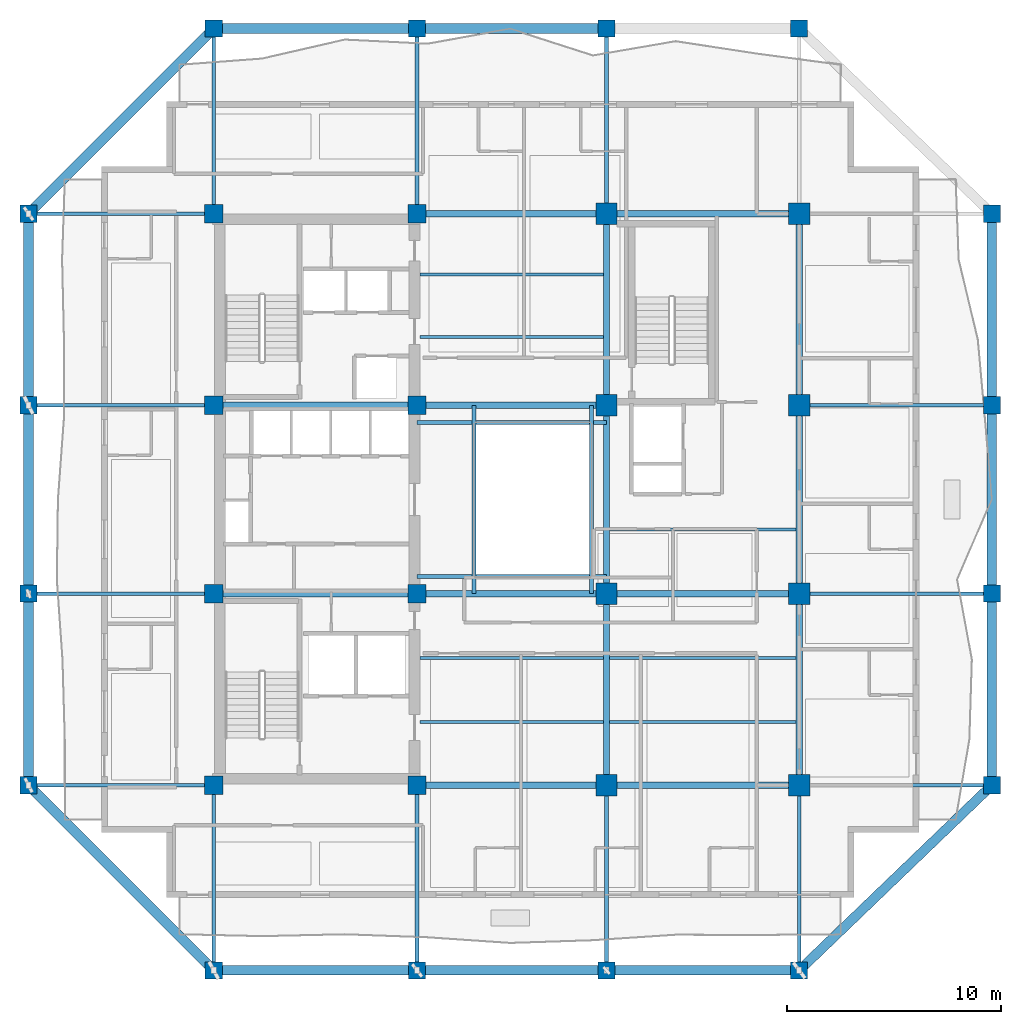
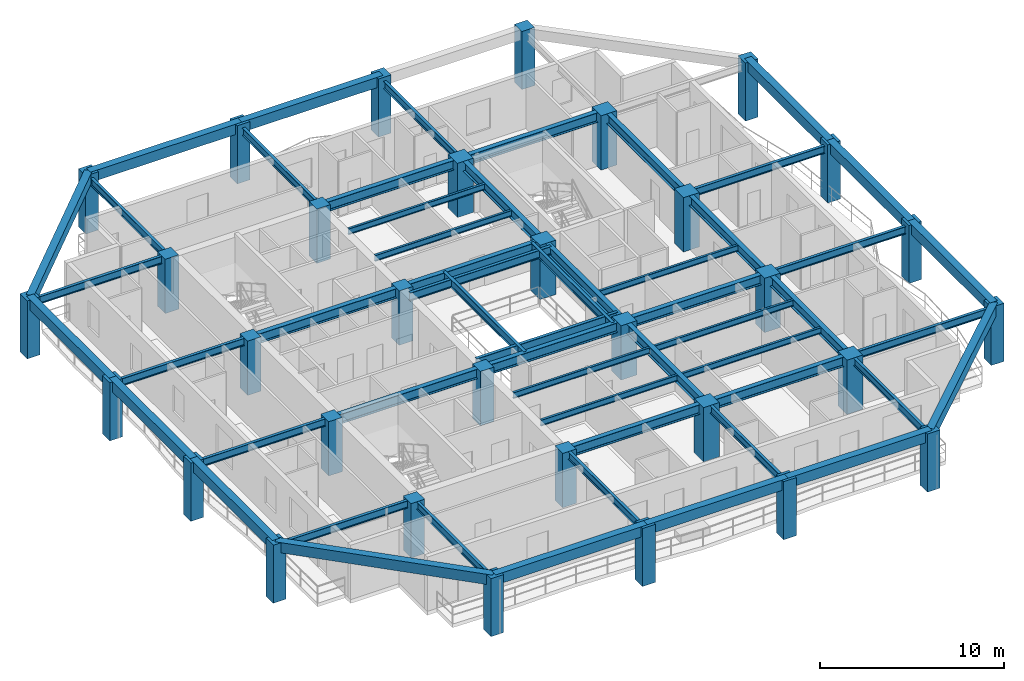
# One storey, part 1 of 12: 54 beams, 32 columns.
"""IFC4 building model written with IfcOpenShell, lengths in metres."""

from ifc_helpers import new_model, si_unit, direction, frame, origin, origin_2d, place, context, subcontext, project, spatial, rectangle, i_section, extrude, material, material_profile, profile_set, type_object, element, save


model = new_model("IFC4")

# Units and contexts
model_context = context("Model", 3, precision=1e-05, world=origin(), true_north=direction((0.0, 1.0)))
body_context = subcontext(model_context, "Body", "Model", "MODEL_VIEW")
ifc_project = project(units=[si_unit("LENGTHUNIT", "METRE"), si_unit("AREAUNIT", "SQUARE_METRE"), si_unit("VOLUMEUNIT", "CUBIC_METRE"), si_unit("PLANEANGLEUNIT", "RADIAN"), si_unit("MASSUNIT", "GRAM", prefix="KILO")], contexts=[model_context])

# Site, building, storey
site_placement = place(None, origin())
site = spatial("IfcSite", under=ifc_project, at=site_placement, CompositionType="ELEMENT")
building_placement = place(site_placement, origin())
building = spatial("IfcBuilding", under=site, at=building_placement, Name="Kundavana Baori Tower", CompositionType="ELEMENT")
storey_placement = place(building_placement, frame((0.0, 0.0, 134.800048828125)))
storey = spatial("IfcBuildingStorey", under=building, at=storey_placement, Name="L32", CompositionType="ELEMENT", Elevation=134.800048828125)

# Columns
ifc_material_1 = material(Name="Concrete C50/60", Category="concrete")
ifc_material_profile_1 = material_profile(ifc_material_1, rectangle(XDim=0.800048828125, YDim=0.800048828125, at=origin_2d()), Name="RC PF 800x800")
ifc_profile_set_1 = profile_set([ifc_material_profile_1], Name="Concrete C50/60")
column_type_1 = type_object("IfcColumnType", Name="COL-PF-800", PredefinedType="COLUMN", material=ifc_profile_set_1)
for number, where, z_axis, x_axis, name in (
    (1, (15.449951171875, 6.60009765625, 0.0), (0.0, 0.0, 1.0), (1.0, 0.0, 0.0), "L32 Stone-Clad Perimeter Frame Column PF-S1"),
    (2, (15.449951171875, 50.60009765625, 0.0), (0.0, 0.0, 1.0), (1.0, 0.0, 0.0), "L32 Stone-Clad Perimeter Frame Column PF-N1"),
    (3, (24.949951171875, 6.60009765625, 0.0), (0.0, 0.0, 1.0), (1.0, 0.0, 0.0), "L32 Stone-Clad Perimeter Frame Column PF-S2"),
    (4, (24.949951171875, 50.60009765625, 0.0), (0.0, 0.0, 1.0), (1.0, 0.0, 0.0), "L32 Stone-Clad Perimeter Frame Column PF-N2"),
    (5, (33.800048828125, 6.60009765625, 0.0), (0.0, 0.0, 1.0), (1.0, 0.0, 0.0), "L32 Stone-Clad Perimeter Frame Column PF-S3"),
    (6, (33.800048828125, 50.60009765625, 0.0), (0.0, 0.0, 1.0), (1.0, 0.0, 0.0), "L32 Stone-Clad Perimeter Frame Column PF-N3"),
    (7, (42.800048828125, 6.60009765625, 0.0), (0.0, 0.0, 1.0), (1.0, 0.0, 0.0), "L32 Stone-Clad Perimeter Frame Column PF-S4"),
    (8, (42.800048828125, 50.60009765625, 0.0), (0.0, 0.0, 1.0), (1.0, 0.0, 0.0), "L32 Stone-Clad Perimeter Frame Column PF-N4"),
    (9, (6.800048828125, 15.25, 0.0), (0.0, 0.0, 1.0), (1.0, 0.0, 0.0), "L32 Stone-Clad Perimeter Frame Column PF-W1"),
    (10, (51.800048828125, 15.25, 0.0), (0.0, 0.0, 1.0), (1.0, 0.0, 0.0), "L32 Stone-Clad Perimeter Frame Column PF-E1"),
    (11, (6.800048828125, 24.199951171875, 0.0), (0.0, 0.0, 1.0), (1.0, 0.0, 0.0), "L32 Stone-Clad Perimeter Frame Column PF-W2"),
    (12, (51.800048828125, 24.199951171875, 0.0), (0.0, 0.0, 1.0), (1.0, 0.0, 0.0), "L32 Stone-Clad Perimeter Frame Column PF-E2"),
    (13, (6.800048828125, 33.0, 0.0), (0.0, 0.0, 1.0), (1.0, 0.0, 0.0), "L32 Stone-Clad Perimeter Frame Column PF-W3"),
    (14, (51.800048828125, 33.0, 0.0), (0.0, 0.0, 1.0), (1.0, 0.0, 0.0), "L32 Stone-Clad Perimeter Frame Column PF-E3"),
    (15, (6.800048828125, 41.949951171875, 0.0), (0.0, 0.0, 1.0), (1.0, 0.0, 0.0), "L32 Stone-Clad Perimeter Frame Column PF-W4"),
    (16, (51.800048828125, 41.949951171875, 0.0), (0.0, 0.0, 1.0), (1.0, 0.0, 0.0), "L32 Stone-Clad Perimeter Frame Column PF-E4"),
):
    element("IfcColumn", number, at=place(storey_placement, frame(where, z_axis=z_axis, x_axis=x_axis)), inside=storey, type_object=column_type_1, Name=name, PredefinedType="COLUMN", context=body_context, shape_type="SweptSolid", body=[
        extrude(rectangle(XDim=0.800048828125, YDim=0.800048828125, at=origin_2d()), origin(), (0.0, 0.0, 1.0), 3.849853515625),
    ])
ifc_material_2 = material(Name="Concrete C50/60", Category="concrete")
ifc_material_profile_2 = material_profile(ifc_material_2, rectangle(XDim=1.0, YDim=1.0, at=origin_2d()), Name="RC 1000x1000")
ifc_profile_set_2 = profile_set([ifc_material_profile_2], Name="Concrete C50/60")
column_type_2 = type_object("IfcColumnType", Name="COL-RC-1000", PredefinedType="COLUMN", material=ifc_profile_set_2)
for number, where, z_axis, x_axis, name in (
    (17, (33.800048828125, 15.25, 0.0), (0.0, 0.0, 1.0), (1.0, 0.0, 0.0), "L32 Interior Column IC-5C"),
    (18, (33.800048828125, 24.199951171875, 0.0), (0.0, 0.0, 1.0), (1.0, 0.0, 0.0), "L32 Interior Column IC-5D"),
    (19, (33.800048828125, 33.0, 0.0), (0.0, 0.0, 1.0), (1.0, 0.0, 0.0), "L32 Interior Column IC-5E"),
    (20, (33.800048828125, 41.949951171875, 0.0), (0.0, 0.0, 1.0), (1.0, 0.0, 0.0), "L32 Interior Column IC-5F"),
    (21, (42.800048828125, 15.25, 0.0), (0.0, 0.0, 1.0), (1.0, 0.0, 0.0), "L32 Interior Column IC-6C"),
    (22, (42.800048828125, 24.199951171875, 0.0), (0.0, 0.0, 1.0), (1.0, 0.0, 0.0), "L32 Interior Column IC-6D"),
    (23, (42.800048828125, 33.0, 0.0), (0.0, 0.0, 1.0), (1.0, 0.0, 0.0), "L32 Interior Column IC-6E"),
    (24, (42.800048828125, 41.949951171875, 0.0), (0.0, 0.0, 1.0), (1.0, 0.0, 0.0), "L32 Interior Column IC-6F"),
):
    element("IfcColumn", number, at=place(storey_placement, frame(where, z_axis=z_axis, x_axis=x_axis)), inside=storey, type_object=column_type_2, Name=name, PredefinedType="COLUMN", context=body_context, shape_type="SweptSolid", body=[
        extrude(rectangle(XDim=1.0, YDim=1.0, at=origin_2d()), origin(), (0.0, 0.0, 1.0), 3.599853515625),
    ])
ifc_material_3 = material(Name="Concrete C50/60", Category="concrete")
ifc_material_profile_3 = material_profile(ifc_material_3, rectangle(XDim=0.85009765625, YDim=0.85009765625, at=origin_2d()), Name="RC 850x850")
ifc_profile_set_3 = profile_set([ifc_material_profile_3], Name="Concrete C50/60")
column_type_3 = type_object("IfcColumnType", Name="COL-RC-850", PredefinedType="COLUMN", material=ifc_profile_set_3)
for number, where, z_axis, x_axis, name in (
    (25, (15.449951171875, 15.25, 0.0), (0.0, 0.0, 1.0), (1.0, 0.0, 0.0), "L32 Interior Column IC-3C"),
    (26, (15.449951171875, 24.199951171875, 0.0), (0.0, 0.0, 1.0), (1.0, 0.0, 0.0), "L32 Interior Column IC-3D"),
    (27, (15.449951171875, 33.0, 0.0), (0.0, 0.0, 1.0), (1.0, 0.0, 0.0), "L32 Interior Column IC-3E"),
    (28, (15.449951171875, 41.949951171875, 0.0), (0.0, 0.0, 1.0), (1.0, 0.0, 0.0), "L32 Interior Column IC-3F"),
    (29, (24.949951171875, 15.25, 0.0), (0.0, 0.0, 1.0), (1.0, 0.0, 0.0), "L32 Interior Column IC-4C"),
    (30, (24.949951171875, 24.199951171875, 0.0), (0.0, 0.0, 1.0), (1.0, 0.0, 0.0), "L32 Interior Column IC-4D"),
    (31, (24.949951171875, 33.0, 0.0), (0.0, 0.0, 1.0), (1.0, 0.0, 0.0), "L32 Interior Column IC-4E"),
    (32, (24.949951171875, 41.949951171875, 0.0), (0.0, 0.0, 1.0), (1.0, 0.0, 0.0), "L32 Interior Column IC-4F"),
):
    element("IfcColumn", number, at=place(storey_placement, frame(where, z_axis=z_axis, x_axis=x_axis)), inside=storey, type_object=column_type_3, Name=name, PredefinedType="COLUMN", context=body_context, shape_type="SweptSolid", body=[
        extrude(rectangle(XDim=0.85009765625, YDim=0.85009765625, at=origin_2d()), origin(), (0.0, 0.0, 1.0), 3.599853515625),
    ])

# Beams
ifc_material_4 = material(Name="Structural Steel S355JR", Category="steel")
ifc_material_profile_4 = material_profile(ifc_material_4, i_section(OverallWidth=0.139892578125, OverallDepth=0.39990234375, WebThickness=0.0087890625, FlangeThickness=0.01611328125, FilletRadius=0.013916015625, at=origin_2d()), Name="ISMB 400")
ifc_profile_set_4 = profile_set([ifc_material_profile_4], Name="Structural Steel S355JR")
beam_type_1 = type_object("IfcBeamType", Name="BM-JST-400", PredefinedType="JOIST", material=ifc_profile_set_4)
for number, where, z_axis, x_axis, name in (
    (33, (25.080078125, 18.199951171875, 3.39990234375), (1.0, 0.0, 0.0), (0.0, 1.0, 0.0), "L32 Central Bay Composite Floor Joist C1"),
    (34, (25.080078125, 21.199951171875, 3.39990234375), (1.0, 0.0, 0.0), (0.0, 1.0, 0.0), "L32 Central Bay Composite Floor Joist C2"),
    (35, (25.080078125, 36.199951171875, 3.39990234375), (1.0, 0.0, 0.0), (0.0, 1.0, 0.0), "L32 Central Bay Composite Floor Joist C3"),
    (36, (25.080078125, 39.10009765625, 3.39990234375), (1.0, 0.0, 0.0), (0.0, 1.0, 0.0), "L32 Central Bay Composite Floor Joist C4"),
):
    element("IfcBeam", number, at=place(storey_placement, frame(where, z_axis=z_axis, x_axis=x_axis)), inside=storey, type_object=beam_type_1, Name=name, PredefinedType="JOIST", context=body_context, shape_type="SweptSolid", body=[
        extrude(i_section(OverallWidth=0.139892578125, OverallDepth=0.39990234375, WebThickness=0.0087890625, FlangeThickness=0.01611328125, FilletRadius=0.013916015625, at=origin_2d()), origin(), (0.0, 0.0, 1.0), 8.56982421875),
    ])
for number, where, z_axis, x_axis, name in (
    (37, (33.949951171875, 18.199951171875, 3.39990234375), (1.0, 0.0, 0.0), (0.0, 1.0, 0.0), "L32 East Bay Composite Floor Joist E1"),
    (38, (33.949951171875, 21.199951171875, 3.39990234375), (1.0, 0.0, 0.0), (0.0, 1.0, 0.0), "L32 East Bay Composite Floor Joist E2"),
    (39, (33.949951171875, 27.199951171875, 3.39990234375), (1.0, 0.0, 0.0), (0.0, 1.0, 0.0), "L32 East Bay Composite Floor Joist E3"),
):
    element("IfcBeam", number, at=place(storey_placement, frame(where, z_axis=z_axis, x_axis=x_axis)), inside=storey, type_object=beam_type_1, Name=name, PredefinedType="JOIST", context=body_context, shape_type="SweptSolid", body=[
        extrude(i_section(OverallWidth=0.139892578125, OverallDepth=0.39990234375, WebThickness=0.0087890625, FlangeThickness=0.01611328125, FilletRadius=0.013916015625, at=origin_2d()), origin(), (0.0, 0.0, 1.0), 8.699951171875),
    ])
ifc_material_5 = material(Name="Concrete C50/60", Category="concrete")
ifc_material_profile_5 = material_profile(ifc_material_5, rectangle(XDim=0.449951171875, YDim=0.679931640625, at=origin_2d()), Name="RC BM 450x680")
ifc_profile_set_5 = profile_set([ifc_material_profile_5], Name="Concrete C50/60")
beam_type_2 = type_object("IfcBeamType", Name="BM-PF-680", PredefinedType="SPANDREL", material=ifc_profile_set_5)
beam_1_placement = place(storey_placement, frame((15.449951171875, 6.60009765625, 3.510009765625), z_axis=(1.0, 0.0, 0.0), x_axis=(0.0, 1.0, 0.0)))
element("IfcBeam", 40, at=beam_1_placement, inside=storey, type_object=beam_type_2, Name="L32 Perimeter Frame Ring Beam S1", PredefinedType="SPANDREL", context=body_context, shape_type="SweptSolid", body=[
    extrude(rectangle(XDim=0.449951171875, YDim=0.679931640625, at=origin_2d()), origin(), (0.0, 0.0, 1.0), 9.5),
])
beam_2_placement = place(storey_placement, frame((24.949951171875, 6.60009765625, 3.510009765625), z_axis=(1.0, 0.0, 0.0), x_axis=(0.0, 1.0, 0.0)))
element("IfcBeam", 41, at=beam_2_placement, inside=storey, type_object=beam_type_2, Name="L32 Perimeter Frame Ring Beam S2", PredefinedType="SPANDREL", context=body_context, shape_type="SweptSolid", body=[
    extrude(rectangle(XDim=0.449951171875, YDim=0.679931640625, at=origin_2d()), origin(), (0.0, 0.0, 1.0), 8.85009765625),
])
beam_3_placement = place(storey_placement, frame((33.800048828125, 6.60009765625, 3.510009765625), z_axis=(1.0, 0.0, 0.0), x_axis=(0.0, 1.0, 0.0)))
element("IfcBeam", 42, at=beam_3_placement, inside=storey, type_object=beam_type_2, Name="L32 Perimeter Frame Ring Beam S3", PredefinedType="SPANDREL", context=body_context, shape_type="SweptSolid", body=[
    extrude(rectangle(XDim=0.449951171875, YDim=0.679931640625, at=origin_2d()), origin(), (0.0, 0.0, 1.0), 9.0),
])
beam_4_placement = place(storey_placement, frame((15.449951171875, 50.60009765625, 3.510009765625), z_axis=(1.0, 0.0, 0.0), x_axis=(0.0, 1.0, 0.0)))
element("IfcBeam", 43, at=beam_4_placement, inside=storey, type_object=beam_type_2, Name="L32 Perimeter Frame Ring Beam N1", PredefinedType="SPANDREL", context=body_context, shape_type="SweptSolid", body=[
    extrude(rectangle(XDim=0.449951171875, YDim=0.679931640625, at=origin_2d()), origin(), (0.0, 0.0, 1.0), 9.5),
])
beam_5_placement = place(storey_placement, frame((24.949951171875, 50.60009765625, 3.510009765625), z_axis=(1.0, 0.0, 0.0), x_axis=(0.0, 1.0, 0.0)))
element("IfcBeam", 44, at=beam_5_placement, inside=storey, type_object=beam_type_2, Name="L32 Perimeter Frame Ring Beam N2", PredefinedType="SPANDREL", context=body_context, shape_type="SweptSolid", body=[
    extrude(rectangle(XDim=0.449951171875, YDim=0.679931640625, at=origin_2d()), origin(), (0.0, 0.0, 1.0), 8.85009765625),
])
beam_6_placement = place(storey_placement, frame((6.800048828125, 15.25, 3.510009765625), z_axis=(0.0, 1.0, 0.0), x_axis=(-1.0, 0.0, 0.0)))
element("IfcBeam", 45, at=beam_6_placement, inside=storey, type_object=beam_type_2, Name="L32 Perimeter Frame Ring Beam W1", PredefinedType="SPANDREL", context=body_context, shape_type="SweptSolid", body=[
    extrude(rectangle(XDim=0.449951171875, YDim=0.679931640625, at=origin_2d()), origin(), (0.0, 0.0, 1.0), 8.949951171875),
])
beam_7_placement = place(storey_placement, frame((6.800048828125, 24.199951171875, 3.510009765625), z_axis=(0.0, 1.0, 0.0), x_axis=(-1.0, 0.0, 0.0)))
element("IfcBeam", 46, at=beam_7_placement, inside=storey, type_object=beam_type_2, Name="L32 Perimeter Frame Ring Beam W2", PredefinedType="SPANDREL", context=body_context, shape_type="SweptSolid", body=[
    extrude(rectangle(XDim=0.449951171875, YDim=0.679931640625, at=origin_2d()), origin(), (0.0, 0.0, 1.0), 8.800048828125),
])
for number, where, z_axis, x_axis, name in (
    (47, (6.800048828125, 33.0, 3.510009765625), (0.0, 1.0, 0.0), (-1.0, 0.0, 0.0), "L32 Perimeter Frame Ring Beam W3"),
    (48, (51.800048828125, 15.25, 3.510009765625), (0.0, 1.0, 0.0), (-1.0, 0.0, 0.0), "L32 Perimeter Frame Ring Beam E1"),
):
    element("IfcBeam", number, at=place(storey_placement, frame(where, z_axis=z_axis, x_axis=x_axis)), inside=storey, type_object=beam_type_2, Name=name, PredefinedType="SPANDREL", context=body_context, shape_type="SweptSolid", body=[
        extrude(rectangle(XDim=0.449951171875, YDim=0.679931640625, at=origin_2d()), origin(), (0.0, 0.0, 1.0), 8.949951171875),
    ])
beam_8_placement = place(storey_placement, frame((51.800048828125, 24.199951171875, 3.510009765625), z_axis=(0.0, 1.0, 0.0), x_axis=(-1.0, 0.0, 0.0)))
element("IfcBeam", 49, at=beam_8_placement, inside=storey, type_object=beam_type_2, Name="L32 Perimeter Frame Ring Beam E2", PredefinedType="SPANDREL", context=body_context, shape_type="SweptSolid", body=[
    extrude(rectangle(XDim=0.449951171875, YDim=0.679931640625, at=origin_2d()), origin(), (0.0, 0.0, 1.0), 8.800048828125),
])
beam_9_placement = place(storey_placement, frame((51.800048828125, 33.0, 3.510009765625), z_axis=(0.0, 1.0, 0.0), x_axis=(-1.0, 0.0, 0.0)))
element("IfcBeam", 50, at=beam_9_placement, inside=storey, type_object=beam_type_2, Name="L32 Perimeter Frame Ring Beam E3", PredefinedType="SPANDREL", context=body_context, shape_type="SweptSolid", body=[
    extrude(rectangle(XDim=0.449951171875, YDim=0.679931640625, at=origin_2d()), origin(), (0.0, 0.0, 1.0), 8.949951171875),
])
beam_10_placement = place(storey_placement, frame((15.449951171875, 6.60009765625, 3.510009765625), z_axis=(-0.707106781187, 0.707106781187, 0.0), x_axis=(-0.707106781187, -0.707106781187, 0.0)))
element("IfcBeam", 51, at=beam_10_placement, inside=storey, type_object=beam_type_2, Name="L32 Notched Corner Perimeter Beam SW", PredefinedType="SPANDREL", context=body_context, shape_type="SweptSolid", body=[
    extrude(rectangle(XDim=0.449951171875, YDim=0.679931640625, at=origin_2d()), origin(), (0.0, 0.0, 1.0), 12.23291015625),
])
beam_11_placement = place(storey_placement, frame((42.800048828125, 6.60009765625, 3.510009765625), z_axis=(0.720990894297, 0.692944536266, 0.0), x_axis=(-0.692944536266, 0.720990894297, 0.0)))
element("IfcBeam", 52, at=beam_11_placement, inside=storey, type_object=beam_type_2, Name="L32 Notched Corner Perimeter Beam SE", PredefinedType="SPANDREL", context=body_context, shape_type="SweptSolid", body=[
    extrude(rectangle(XDim=0.449951171875, YDim=0.679931640625, at=origin_2d()), origin(), (0.0, 0.0, 1.0), 12.48291015625),
])
beam_12_placement = place(storey_placement, frame((15.449951171875, 50.60009765625, 3.510009765625), z_axis=(-0.70709680233, -0.707116759903, 0.0), x_axis=(0.707116759903, -0.70709680233, 0.0)))
element("IfcBeam", 53, at=beam_12_placement, inside=storey, type_object=beam_type_2, Name="L32 Notched Corner Perimeter Beam NW", PredefinedType="SPANDREL", context=body_context, shape_type="SweptSolid", body=[
    extrude(rectangle(XDim=0.449951171875, YDim=0.679931640625, at=origin_2d()), origin(), (0.0, 0.0, 1.0), 12.23291015625),
])
ifc_material_6 = material(Name="Structural Steel S355JR", Category="steel")
ifc_material_profile_6 = material_profile(ifc_material_6, i_section(OverallWidth=0.18994140625, OverallDepth=0.550048828125, WebThickness=0.01123046875, FlangeThickness=0.019287109375, FilletRadius=0.01806640625, at=origin_2d()), Name="ISMB 550")
ifc_profile_set_6 = profile_set([ifc_material_profile_6], Name="Structural Steel S355JR")
beam_type_3 = type_object("IfcBeamType", Name="BM-ST-550", PredefinedType="BEAM", material=ifc_profile_set_6)
for number, where, z_axis, x_axis, name in (
    (54, (27.60009765625, 24.199951171875, 3.324951171875), (0.0, 1.0, 0.0), (-1.0, 0.0, 0.0), "L32 Atrium West Edge Beam"),
    (55, (33.10009765625, 24.199951171875, 3.324951171875), (0.0, 1.0, 0.0), (-1.0, 0.0, 0.0), "L32 Atrium East Edge Beam"),
):
    element("IfcBeam", number, at=place(storey_placement, frame(where, z_axis=z_axis, x_axis=x_axis)), inside=storey, type_object=beam_type_3, Name=name, PredefinedType="BEAM", context=body_context, shape_type="SweptSolid", body=[
        extrude(i_section(OverallWidth=0.18994140625, OverallDepth=0.550048828125, WebThickness=0.01123046875, FlangeThickness=0.019287109375, FilletRadius=0.01806640625, at=origin_2d()), origin(), (0.0, 0.0, 1.0), 8.800048828125),
    ])
for number, where, z_axis, x_axis, name in (
    (56, (24.949951171875, 25.0, 3.324951171875), (1.0, 0.0, 0.0), (0.0, 1.0, 0.0), "L32 Atrium South Edge Beam"),
    (57, (24.949951171875, 32.199951171875, 3.324951171875), (1.0, 0.0, 0.0), (0.0, 1.0, 0.0), "L32 Atrium North Edge Beam"),
):
    element("IfcBeam", number, at=place(storey_placement, frame(where, z_axis=z_axis, x_axis=x_axis)), inside=storey, type_object=beam_type_3, Name=name, PredefinedType="BEAM", context=body_context, shape_type="SweptSolid", body=[
        extrude(i_section(OverallWidth=0.18994140625, OverallDepth=0.550048828125, WebThickness=0.01123046875, FlangeThickness=0.019287109375, FilletRadius=0.01806640625, at=origin_2d()), origin(), (0.0, 0.0, 1.0), 8.85009765625),
    ])
ifc_material_7 = material(Name="Structural Steel S355JR", Category="steel")
ifc_material_profile_7 = material_profile(ifc_material_7, i_section(OverallWidth=0.300048828125, OverallDepth=0.64990234375, WebThickness=0.013427734375, FlangeThickness=0.02197265625, FilletRadius=0.02392578125, at=origin_2d()), Name="NPB 650x300x155")
ifc_profile_set_7 = profile_set([ifc_material_profile_7], Name="Structural Steel S355JR")
beam_type_4 = type_object("IfcBeamType", Name="BM-ST-650", PredefinedType="BEAM", material=ifc_profile_set_7)
beam_13_placement = place(storey_placement, frame((24.949951171875, 15.25, 3.27490234375), z_axis=(1.0, 0.0, 0.0), x_axis=(0.0, 1.0, 0.0)))
element("IfcBeam", 58, at=beam_13_placement, inside=storey, type_object=beam_type_4, Name="L32 Primary Grid Girder GX-1-2", PredefinedType="BEAM", context=body_context, shape_type="SweptSolid", body=[
    extrude(i_section(OverallWidth=0.300048828125, OverallDepth=0.64990234375, WebThickness=0.013427734375, FlangeThickness=0.02197265625, FilletRadius=0.02392578125, at=origin_2d()), origin(), (0.0, 0.0, 1.0), 8.85009765625),
])
beam_14_placement = place(storey_placement, frame((33.800048828125, 15.25, 3.27490234375), z_axis=(1.0, 0.0, 0.0), x_axis=(0.0, 1.0, 0.0)))
element("IfcBeam", 59, at=beam_14_placement, inside=storey, type_object=beam_type_4, Name="L32 Primary Grid Girder GX-1-3", PredefinedType="BEAM", context=body_context, shape_type="SweptSolid", body=[
    extrude(i_section(OverallWidth=0.300048828125, OverallDepth=0.64990234375, WebThickness=0.013427734375, FlangeThickness=0.02197265625, FilletRadius=0.02392578125, at=origin_2d()), origin(), (0.0, 0.0, 1.0), 9.0),
])
beam_15_placement = place(storey_placement, frame((15.449951171875, 24.199951171875, 3.27490234375), z_axis=(1.0, 0.0, 0.0), x_axis=(0.0, 1.0, 0.0)))
element("IfcBeam", 60, at=beam_15_placement, inside=storey, type_object=beam_type_4, Name="L32 Primary Grid Girder GX-2-1", PredefinedType="BEAM", context=body_context, shape_type="SweptSolid", body=[
    extrude(i_section(OverallWidth=0.300048828125, OverallDepth=0.64990234375, WebThickness=0.013427734375, FlangeThickness=0.02197265625, FilletRadius=0.02392578125, at=origin_2d()), origin(), (0.0, 0.0, 1.0), 9.5),
])
beam_16_placement = place(storey_placement, frame((24.949951171875, 24.199951171875, 3.27490234375), z_axis=(1.0, 0.0, 0.0), x_axis=(0.0, 1.0, 0.0)))
element("IfcBeam", 61, at=beam_16_placement, inside=storey, type_object=beam_type_4, Name="L32 Primary Grid Girder GX-2-2", PredefinedType="BEAM", context=body_context, shape_type="SweptSolid", body=[
    extrude(i_section(OverallWidth=0.300048828125, OverallDepth=0.64990234375, WebThickness=0.013427734375, FlangeThickness=0.02197265625, FilletRadius=0.02392578125, at=origin_2d()), origin(), (0.0, 0.0, 1.0), 8.85009765625),
])
beam_17_placement = place(storey_placement, frame((33.800048828125, 24.199951171875, 3.27490234375), z_axis=(1.0, 0.0, 0.0), x_axis=(0.0, 1.0, 0.0)))
element("IfcBeam", 62, at=beam_17_placement, inside=storey, type_object=beam_type_4, Name="L32 Primary Grid Girder GX-2-3", PredefinedType="BEAM", context=body_context, shape_type="SweptSolid", body=[
    extrude(i_section(OverallWidth=0.300048828125, OverallDepth=0.64990234375, WebThickness=0.013427734375, FlangeThickness=0.02197265625, FilletRadius=0.02392578125, at=origin_2d()), origin(), (0.0, 0.0, 1.0), 9.0),
])
beam_18_placement = place(storey_placement, frame((15.449951171875, 33.0, 3.27490234375), z_axis=(1.0, 0.0, 0.0), x_axis=(0.0, 1.0, 0.0)))
element("IfcBeam", 63, at=beam_18_placement, inside=storey, type_object=beam_type_4, Name="L32 Primary Grid Girder GX-3-1", PredefinedType="BEAM", context=body_context, shape_type="SweptSolid", body=[
    extrude(i_section(OverallWidth=0.300048828125, OverallDepth=0.64990234375, WebThickness=0.013427734375, FlangeThickness=0.02197265625, FilletRadius=0.02392578125, at=origin_2d()), origin(), (0.0, 0.0, 1.0), 9.5),
])
for number, where, z_axis, x_axis, name in (
    (64, (24.949951171875, 33.0, 3.27490234375), (1.0, 0.0, 0.0), (0.0, 1.0, 0.0), "L32 Primary Grid Girder GX-3-2"),
    (65, (24.949951171875, 41.949951171875, 3.27490234375), (1.0, 0.0, 0.0), (0.0, 1.0, 0.0), "L32 Primary Grid Girder GX-4-2"),
):
    element("IfcBeam", number, at=place(storey_placement, frame(where, z_axis=z_axis, x_axis=x_axis)), inside=storey, type_object=beam_type_4, Name=name, PredefinedType="BEAM", context=body_context, shape_type="SweptSolid", body=[
        extrude(i_section(OverallWidth=0.300048828125, OverallDepth=0.64990234375, WebThickness=0.013427734375, FlangeThickness=0.02197265625, FilletRadius=0.02392578125, at=origin_2d()), origin(), (0.0, 0.0, 1.0), 8.85009765625),
    ])
beam_19_placement = place(storey_placement, frame((33.800048828125, 41.949951171875, 3.27490234375), z_axis=(1.0, 0.0, 0.0), x_axis=(0.0, 1.0, 0.0)))
element("IfcBeam", 66, at=beam_19_placement, inside=storey, type_object=beam_type_4, Name="L32 Primary Grid Girder GX-4-3", PredefinedType="BEAM", context=body_context, shape_type="SweptSolid", body=[
    extrude(i_section(OverallWidth=0.300048828125, OverallDepth=0.64990234375, WebThickness=0.013427734375, FlangeThickness=0.02197265625, FilletRadius=0.02392578125, at=origin_2d()), origin(), (0.0, 0.0, 1.0), 9.0),
])
beam_20_placement = place(storey_placement, frame((33.800048828125, 15.25, 3.27490234375), z_axis=(0.0, 1.0, 0.0), x_axis=(-1.0, 0.0, 0.0)))
element("IfcBeam", 67, at=beam_20_placement, inside=storey, type_object=beam_type_4, Name="L32 Primary Grid Girder GY-3-1", PredefinedType="BEAM", context=body_context, shape_type="SweptSolid", body=[
    extrude(i_section(OverallWidth=0.300048828125, OverallDepth=0.64990234375, WebThickness=0.013427734375, FlangeThickness=0.02197265625, FilletRadius=0.02392578125, at=origin_2d()), origin(), (0.0, 0.0, 1.0), 8.949951171875),
])
beam_21_placement = place(storey_placement, frame((33.800048828125, 24.199951171875, 3.27490234375), z_axis=(0.0, 1.0, 0.0), x_axis=(-1.0, 0.0, 0.0)))
element("IfcBeam", 68, at=beam_21_placement, inside=storey, type_object=beam_type_4, Name="L32 Primary Grid Girder GY-3-2", PredefinedType="BEAM", context=body_context, shape_type="SweptSolid", body=[
    extrude(i_section(OverallWidth=0.300048828125, OverallDepth=0.64990234375, WebThickness=0.013427734375, FlangeThickness=0.02197265625, FilletRadius=0.02392578125, at=origin_2d()), origin(), (0.0, 0.0, 1.0), 8.800048828125),
])
for number, where, z_axis, x_axis, name in (
    (69, (33.800048828125, 33.0, 3.27490234375), (0.0, 1.0, 0.0), (-1.0, 0.0, 0.0), "L32 Primary Grid Girder GY-3-3"),
    (70, (42.800048828125, 15.25, 3.27490234375), (0.0, 1.0, 0.0), (-1.0, 0.0, 0.0), "L32 Primary Grid Girder GY-4-1"),
):
    element("IfcBeam", number, at=place(storey_placement, frame(where, z_axis=z_axis, x_axis=x_axis)), inside=storey, type_object=beam_type_4, Name=name, PredefinedType="BEAM", context=body_context, shape_type="SweptSolid", body=[
        extrude(i_section(OverallWidth=0.300048828125, OverallDepth=0.64990234375, WebThickness=0.013427734375, FlangeThickness=0.02197265625, FilletRadius=0.02392578125, at=origin_2d()), origin(), (0.0, 0.0, 1.0), 8.949951171875),
    ])
beam_22_placement = place(storey_placement, frame((42.800048828125, 24.199951171875, 3.27490234375), z_axis=(0.0, 1.0, 0.0), x_axis=(-1.0, 0.0, 0.0)))
element("IfcBeam", 71, at=beam_22_placement, inside=storey, type_object=beam_type_4, Name="L32 Primary Grid Girder GY-4-2", PredefinedType="BEAM", context=body_context, shape_type="SweptSolid", body=[
    extrude(i_section(OverallWidth=0.300048828125, OverallDepth=0.64990234375, WebThickness=0.013427734375, FlangeThickness=0.02197265625, FilletRadius=0.02392578125, at=origin_2d()), origin(), (0.0, 0.0, 1.0), 8.800048828125),
])
beam_23_placement = place(storey_placement, frame((42.800048828125, 33.0, 3.27490234375), z_axis=(0.0, 1.0, 0.0), x_axis=(-1.0, 0.0, 0.0)))
element("IfcBeam", 72, at=beam_23_placement, inside=storey, type_object=beam_type_4, Name="L32 Primary Grid Girder GY-4-3", PredefinedType="BEAM", context=body_context, shape_type="SweptSolid", body=[
    extrude(i_section(OverallWidth=0.300048828125, OverallDepth=0.64990234375, WebThickness=0.013427734375, FlangeThickness=0.02197265625, FilletRadius=0.02392578125, at=origin_2d()), origin(), (0.0, 0.0, 1.0), 8.949951171875),
])
ifc_material_8 = material(Name="Structural Steel S355JR", Category="steel")
ifc_material_profile_8 = material_profile(ifc_material_8, i_section(OverallWidth=0.179931640625, OverallDepth=0.5, WebThickness=0.01025390625, FlangeThickness=0.01708984375, FilletRadius=0.01708984375, at=origin_2d()), Name="ISMB 500")
ifc_profile_set_8 = profile_set([ifc_material_profile_8], Name="Structural Steel S355JR")
beam_type_5 = type_object("IfcBeamType", Name="BM-TIE-500", PredefinedType="BEAM", material=ifc_profile_set_8)
beam_24_placement = place(storey_placement, frame((15.449951171875, 15.25, 3.349853515625), z_axis=(0.0, -1.0, 0.0), x_axis=(1.0, 0.0, 0.0)))
element("IfcBeam", 73, at=beam_24_placement, inside=storey, type_object=beam_type_5, Name="L32 South Radial Loggia Tie Beam S1", PredefinedType="BEAM", context=body_context, shape_type="SweptSolid", body=[
    extrude(i_section(OverallWidth=0.179931640625, OverallDepth=0.5, WebThickness=0.01025390625, FlangeThickness=0.01708984375, FilletRadius=0.01708984375, at=origin_2d()), origin(), (0.0, 0.0, 1.0), 8.64990234375),
])
beam_25_placement = place(storey_placement, frame((15.449951171875, 41.949951171875, 3.349853515625), z_axis=(0.0, 1.0, 0.0), x_axis=(-1.0, 0.0, 0.0)))
element("IfcBeam", 74, at=beam_25_placement, inside=storey, type_object=beam_type_5, Name="L32 North Radial Loggia Tie Beam N1", PredefinedType="BEAM", context=body_context, shape_type="SweptSolid", body=[
    extrude(i_section(OverallWidth=0.179931640625, OverallDepth=0.5, WebThickness=0.01025390625, FlangeThickness=0.01708984375, FilletRadius=0.01708984375, at=origin_2d()), origin(), (0.0, 0.0, 1.0), 8.650146484375),
])
beam_26_placement = place(storey_placement, frame((24.949951171875, 15.25, 3.349853515625), z_axis=(0.0, -1.0, 0.0), x_axis=(1.0, 0.0, 0.0)))
element("IfcBeam", 75, at=beam_26_placement, inside=storey, type_object=beam_type_5, Name="L32 South Radial Loggia Tie Beam S2", PredefinedType="BEAM", context=body_context, shape_type="SweptSolid", body=[
    extrude(i_section(OverallWidth=0.179931640625, OverallDepth=0.5, WebThickness=0.01025390625, FlangeThickness=0.01708984375, FilletRadius=0.01708984375, at=origin_2d()), origin(), (0.0, 0.0, 1.0), 8.64990234375),
])
beam_27_placement = place(storey_placement, frame((24.949951171875, 41.949951171875, 3.349853515625), z_axis=(0.0, 1.0, 0.0), x_axis=(-1.0, 0.0, 0.0)))
element("IfcBeam", 76, at=beam_27_placement, inside=storey, type_object=beam_type_5, Name="L32 North Radial Loggia Tie Beam N2", PredefinedType="BEAM", context=body_context, shape_type="SweptSolid", body=[
    extrude(i_section(OverallWidth=0.179931640625, OverallDepth=0.5, WebThickness=0.01025390625, FlangeThickness=0.01708984375, FilletRadius=0.01708984375, at=origin_2d()), origin(), (0.0, 0.0, 1.0), 8.650146484375),
])
beam_28_placement = place(storey_placement, frame((33.800048828125, 15.25, 3.349853515625), z_axis=(0.0, -1.0, 0.0), x_axis=(1.0, 0.0, 0.0)))
element("IfcBeam", 77, at=beam_28_placement, inside=storey, type_object=beam_type_5, Name="L32 South Radial Loggia Tie Beam S3", PredefinedType="BEAM", context=body_context, shape_type="SweptSolid", body=[
    extrude(i_section(OverallWidth=0.179931640625, OverallDepth=0.5, WebThickness=0.01025390625, FlangeThickness=0.01708984375, FilletRadius=0.01708984375, at=origin_2d()), origin(), (0.0, 0.0, 1.0), 8.64990234375),
])
beam_29_placement = place(storey_placement, frame((33.800048828125, 41.949951171875, 3.349853515625), z_axis=(0.0, 1.0, 0.0), x_axis=(-1.0, 0.0, 0.0)))
element("IfcBeam", 78, at=beam_29_placement, inside=storey, type_object=beam_type_5, Name="L32 North Radial Loggia Tie Beam N3", PredefinedType="BEAM", context=body_context, shape_type="SweptSolid", body=[
    extrude(i_section(OverallWidth=0.179931640625, OverallDepth=0.5, WebThickness=0.01025390625, FlangeThickness=0.01708984375, FilletRadius=0.01708984375, at=origin_2d()), origin(), (0.0, 0.0, 1.0), 8.650146484375),
])
for number, where, z_axis, x_axis, name in (
    (79, (42.800048828125, 15.25, 3.349853515625), (0.0, -1.0, 0.0), (1.0, 0.0, 0.0), "L32 South Radial Loggia Tie Beam S4"),
    (80, (15.449951171875, 15.25, 3.349853515625), (-1.0, 0.0, 0.0), (0.0, -1.0, 0.0), "L32 West Radial Loggia Tie Beam W1"),
):
    element("IfcBeam", number, at=place(storey_placement, frame(where, z_axis=z_axis, x_axis=x_axis)), inside=storey, type_object=beam_type_5, Name=name, PredefinedType="BEAM", context=body_context, shape_type="SweptSolid", body=[
        extrude(i_section(OverallWidth=0.179931640625, OverallDepth=0.5, WebThickness=0.01025390625, FlangeThickness=0.01708984375, FilletRadius=0.01708984375, at=origin_2d()), origin(), (0.0, 0.0, 1.0), 8.64990234375),
    ])
beam_30_placement = place(storey_placement, frame((42.800048828125, 15.25, 3.349853515625), z_axis=(1.0, 0.0, 0.0), x_axis=(0.0, 1.0, 0.0)))
element("IfcBeam", 81, at=beam_30_placement, inside=storey, type_object=beam_type_5, Name="L32 East Radial Loggia Tie Beam E1", PredefinedType="BEAM", context=body_context, shape_type="SweptSolid", body=[
    extrude(i_section(OverallWidth=0.179931640625, OverallDepth=0.5, WebThickness=0.01025390625, FlangeThickness=0.01708984375, FilletRadius=0.01708984375, at=origin_2d()), origin(), (0.0, 0.0, 1.0), 9.0),
])
beam_31_placement = place(storey_placement, frame((15.449951171875, 24.199951171875, 3.349853515625), z_axis=(-1.0, 0.0, 0.0), x_axis=(0.0, -1.0, 0.0)))
element("IfcBeam", 82, at=beam_31_placement, inside=storey, type_object=beam_type_5, Name="L32 West Radial Loggia Tie Beam W2", PredefinedType="BEAM", context=body_context, shape_type="SweptSolid", body=[
    extrude(i_section(OverallWidth=0.179931640625, OverallDepth=0.5, WebThickness=0.01025390625, FlangeThickness=0.01708984375, FilletRadius=0.01708984375, at=origin_2d()), origin(), (0.0, 0.0, 1.0), 8.64990234375),
])
beam_32_placement = place(storey_placement, frame((42.800048828125, 24.199951171875, 3.349853515625), z_axis=(1.0, 0.0, 0.0), x_axis=(0.0, 1.0, 0.0)))
element("IfcBeam", 83, at=beam_32_placement, inside=storey, type_object=beam_type_5, Name="L32 East Radial Loggia Tie Beam E2", PredefinedType="BEAM", context=body_context, shape_type="SweptSolid", body=[
    extrude(i_section(OverallWidth=0.179931640625, OverallDepth=0.5, WebThickness=0.01025390625, FlangeThickness=0.01708984375, FilletRadius=0.01708984375, at=origin_2d()), origin(), (0.0, 0.0, 1.0), 9.0),
])
beam_33_placement = place(storey_placement, frame((15.449951171875, 33.0, 3.349853515625), z_axis=(-1.0, 0.0, 0.0), x_axis=(0.0, -1.0, 0.0)))
element("IfcBeam", 84, at=beam_33_placement, inside=storey, type_object=beam_type_5, Name="L32 West Radial Loggia Tie Beam W3", PredefinedType="BEAM", context=body_context, shape_type="SweptSolid", body=[
    extrude(i_section(OverallWidth=0.179931640625, OverallDepth=0.5, WebThickness=0.01025390625, FlangeThickness=0.01708984375, FilletRadius=0.01708984375, at=origin_2d()), origin(), (0.0, 0.0, 1.0), 8.64990234375),
])
beam_34_placement = place(storey_placement, frame((42.800048828125, 33.0, 3.349853515625), z_axis=(1.0, 0.0, 0.0), x_axis=(0.0, 1.0, 0.0)))
element("IfcBeam", 85, at=beam_34_placement, inside=storey, type_object=beam_type_5, Name="L32 East Radial Loggia Tie Beam E3", PredefinedType="BEAM", context=body_context, shape_type="SweptSolid", body=[
    extrude(i_section(OverallWidth=0.179931640625, OverallDepth=0.5, WebThickness=0.01025390625, FlangeThickness=0.01708984375, FilletRadius=0.01708984375, at=origin_2d()), origin(), (0.0, 0.0, 1.0), 9.0),
])
beam_35_placement = place(storey_placement, frame((15.449951171875, 41.949951171875, 3.349853515625), z_axis=(-1.0, 0.0, 0.0), x_axis=(0.0, -1.0, 0.0)))
element("IfcBeam", 86, at=beam_35_placement, inside=storey, type_object=beam_type_5, Name="L32 West Radial Loggia Tie Beam W4", PredefinedType="BEAM", context=body_context, shape_type="SweptSolid", body=[
    extrude(i_section(OverallWidth=0.179931640625, OverallDepth=0.5, WebThickness=0.01025390625, FlangeThickness=0.01708984375, FilletRadius=0.01708984375, at=origin_2d()), origin(), (0.0, 0.0, 1.0), 8.64990234375),
])

save(model, "model.ifc")
